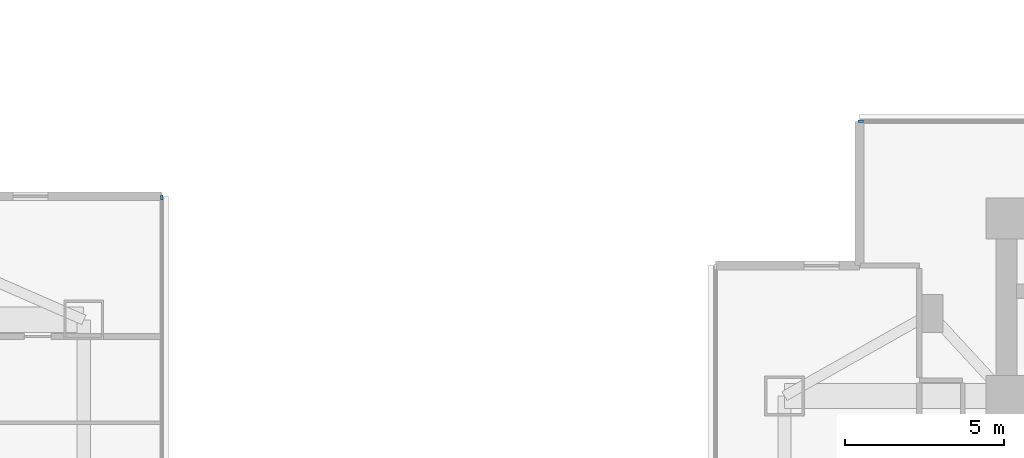
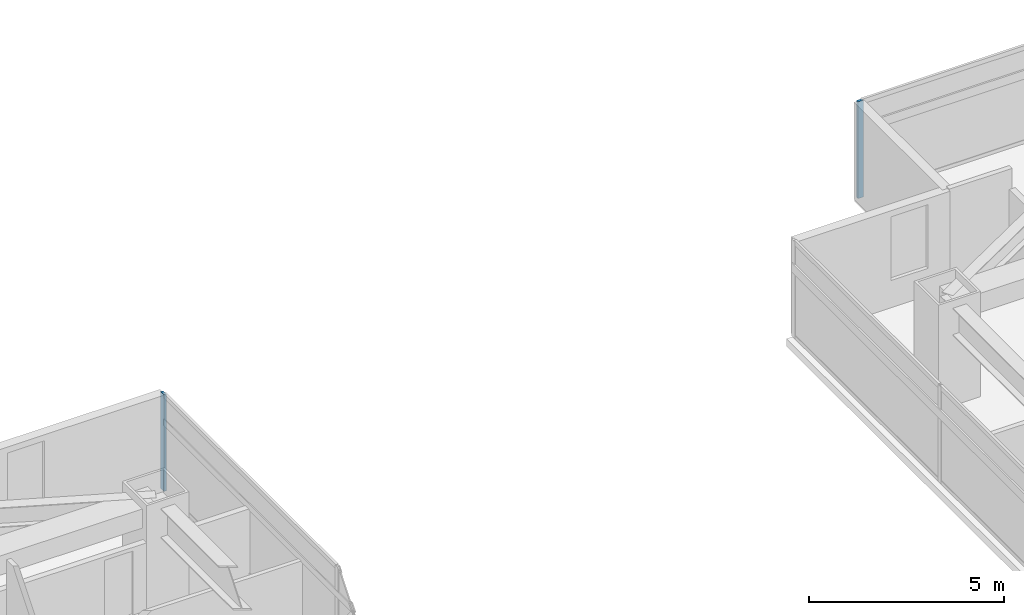
# One storey, part 8 of 27: 2 members, 2 elements without a shape of their own.
"""IFC4 building model written with IfcOpenShell, lengths in metres."""

from ifc_helpers import new_model, si_unit, direction, frame, origin, origin_2d, place, context, subcontext, project, spatial, rectangle, extrude, material, material_profile, profile_set, type_object, element, aggregate, save


model = new_model("IFC4")

# Units and contexts
model_context = context("Model", 3, precision=1e-05, world=origin(), true_north=direction((0.0, 1.0)))
body_context = subcontext(model_context, "Body", "Model", "MODEL_VIEW")
ifc_project = project(units=[si_unit("LENGTHUNIT", "METRE"), si_unit("AREAUNIT", "SQUARE_METRE"), si_unit("VOLUMEUNIT", "CUBIC_METRE"), si_unit("PLANEANGLEUNIT", "RADIAN"), si_unit("MASSUNIT", "GRAM", prefix="KILO")], contexts=[model_context])

# Site, building, storey
site_placement = place(None, origin())
site = spatial("IfcSite", under=ifc_project, at=site_placement, CompositionType="ELEMENT")
building_placement = place(site_placement, origin())
building = spatial("IfcBuilding", under=site, at=building_placement, Name="Mirazonda Arch Towers", CompositionType="ELEMENT")
storey_placement = place(building_placement, frame((0.0, 0.0, 55.39990234375)))
storey = spatial("IfcBuildingStorey", under=building, at=storey_placement, Name="L15", CompositionType="ELEMENT", Elevation=55.39990234375)

# Curtain wall, member
ifc_material_1 = material(Name="Anodised Aluminium and Low-E Glass", Category="aluminium")
curtain_wall_type = type_object("IfcCurtainWallType", Name="CW-HTL-UNIT", PredefinedType="NOTDEFINED", material=ifc_material_1)
curtain_wall_1_placement = place(storey_placement, origin())
curtain_wall_1 = element("IfcCurtainWall", 1, at=curtain_wall_1_placement, inside=storey, type_object=curtain_wall_type, Name="L15 T1 E Facade CW-L15-T1-E", PredefinedType="NOTDEFINED")
ifc_material_2 = material(Name="Anodised Aluminium Alloy", Category="aluminium")
ifc_material_profile = material_profile(ifc_material_2, rectangle(XDim=0.074951171875, YDim=0.1650390625, at=origin_2d()), Name="ALU-MULL-75x165")
ifc_profile_set = profile_set([ifc_material_profile], Name="Anodised Aluminium Alloy")
member_type = type_object("IfcMemberType", Name="MULL-CW-HTL-UNIT", PredefinedType="MULLION", material=ifc_profile_set)
member_1_placement = place(storey_placement, frame((41.360107421875, 41.46044921875, 0.0), z_axis=(0.0, 0.0, 1.0), x_axis=(-1.0, 0.0, 0.0)))
member_1 = element("IfcMember", 2, at=member_1_placement, type_object=member_type, Name="CW-112 mullion 4", PredefinedType="MULLION", context=body_context, shape_type="SweptSolid", body=[
    extrude(rectangle(XDim=0.074951171875, YDim=0.1650390625, at=origin_2d()), origin(), (0.0, 0.0, 1.0), 3.0400390625),
])
aggregate(curtain_wall_1, [member_1])

curtain_wall_2_placement = place(storey_placement, origin())
curtain_wall_2 = element("IfcCurtainWall", 3, at=curtain_wall_2_placement, inside=storey, type_object=curtain_wall_type, Name="L15 T2 N Facade CW-L15-T2-N", PredefinedType="NOTDEFINED")
member_2_placement = place(storey_placement, frame((63.405517578125, 43.859375, 0.0), z_axis=(0.0, 0.0, 1.0), x_axis=(0.0, 1.0, 0.0)))
member_2 = element("IfcMember", 4, at=member_2_placement, type_object=member_type, Name="CW-112 mullion 1", PredefinedType="MULLION", context=body_context, shape_type="SweptSolid", body=[
    extrude(rectangle(XDim=0.074951171875, YDim=0.1650390625, at=origin_2d()), origin(), (0.0, 0.0, 1.0), 3.0400390625),
])
aggregate(curtain_wall_2, [member_2])

save(model, "model.ifc")
